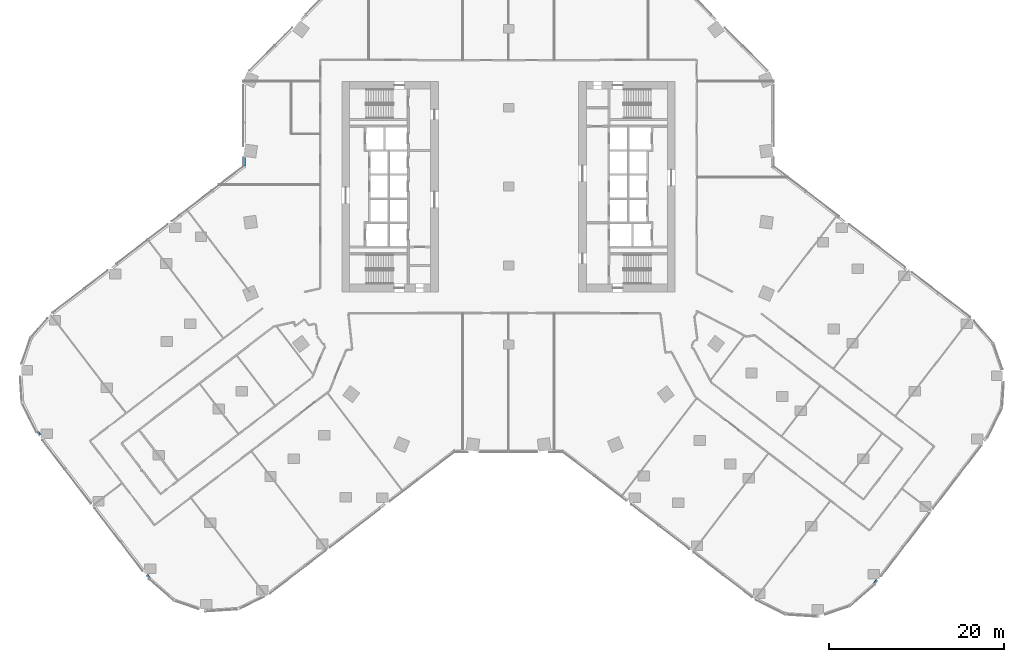
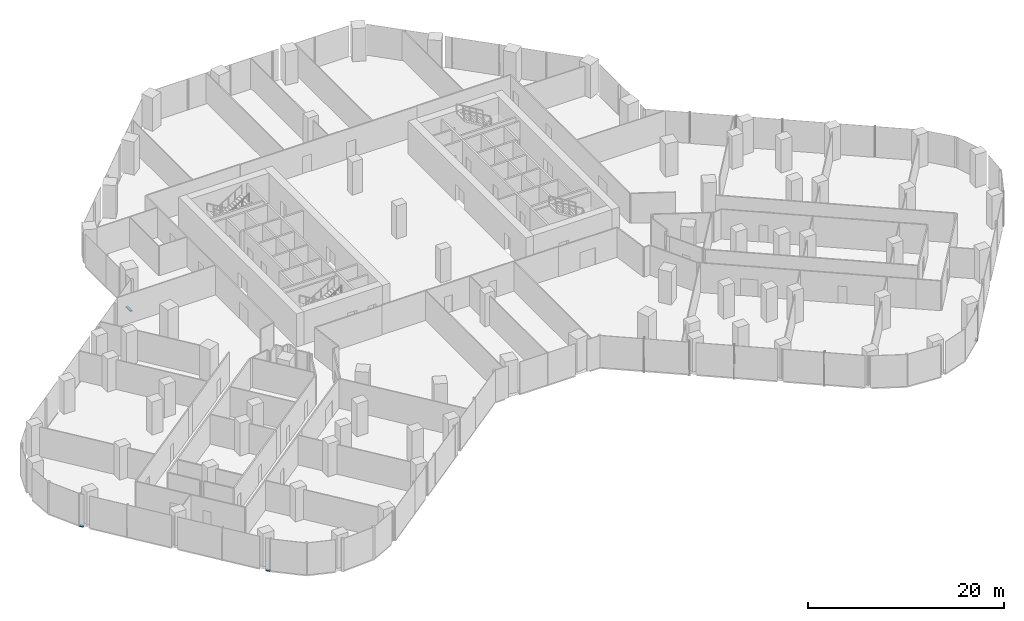
# One storey, part 12 of 29: 4 members, 3 elements without a shape of their own.
"""IFC4 building model written with IfcOpenShell, lengths in metres."""

from ifc_helpers import new_model, si_unit, direction, frame, origin, origin_2d, place, context, subcontext, project, spatial, rectangle, extrude, material, material_profile, profile_set, type_object, element, aggregate, save


model = new_model("IFC4")

# Units and contexts
model_context = context("Model", 3, precision=1e-05, world=origin(), true_north=direction((0.0, 1.0)))
body_context = subcontext(model_context, "Body", "Model", "MODEL_VIEW")
ifc_project = project(units=[si_unit("LENGTHUNIT", "METRE"), si_unit("AREAUNIT", "SQUARE_METRE"), si_unit("VOLUMEUNIT", "CUBIC_METRE"), si_unit("PLANEANGLEUNIT", "RADIAN"), si_unit("MASSUNIT", "GRAM", prefix="KILO")], contexts=[model_context])

# Site, building, storey
site_placement = place(None, origin())
site = spatial("IfcSite", under=ifc_project, at=site_placement, CompositionType="ELEMENT")
building_placement = place(site_placement, origin())
building = spatial("IfcBuilding", under=site, at=building_placement, Name="Orlundy Tower", CompositionType="ELEMENT")
storey_placement = place(building_placement, frame((0.0, 0.0, 25.10009765625)))
storey = spatial("IfcBuildingStorey", under=building, at=storey_placement, Name="L04", CompositionType="ELEMENT", Elevation=25.10009765625)

# Curtain wall, members
ifc_material_1 = material(Name="Aluminium bronze anodised", Category="aluminium")
curtain_wall_type = type_object("IfcCurtainWallType", Name="CW2 wall", PredefinedType="NOTDEFINED", material=ifc_material_1)
curtain_wall_1_placement = place(storey_placement, origin())
curtain_wall_1 = element("IfcCurtainWall", 1, at=curtain_wall_1_placement, inside=storey, type_object=curtain_wall_type, Name="CW2 run 07", PredefinedType="NOTDEFINED")
ifc_material_2 = material(Name="Aluminium bronze anodised", Category="aluminium")
ifc_material_profile = material_profile(ifc_material_2, rectangle(XDim=0.25, YDim=0.14990234375, at=origin_2d()), Name="CW2 transom 250x150")
ifc_profile_set = profile_set([ifc_material_profile], Name="Aluminium bronze anodised")
member_type = type_object("IfcMemberType", Name="CW2 transom 250x150", PredefinedType="USERDEFINED", material=ifc_profile_set)
member_1_placement = place(storey_placement, frame((-40.919921875, -44.617919921875, -0.34521484375), z_axis=(-0.608687084011, 0.79341038168, 0.0), x_axis=(-0.79341038168, -0.608687084011, 0.0)))
member_1 = element("IfcMember", 2, at=member_1_placement, type_object=member_type, Name="CW2 transom", ObjectType="TRANSOM", PredefinedType="USERDEFINED", context=body_context, shape_type="SweptSolid", body=[
    extrude(rectangle(XDim=0.25, YDim=0.14990234375, at=origin_2d()), origin(), (0.0, 0.0, 1.0), 0.461181640625),
])
member_2_placement = place(storey_placement, frame((-53.43310546875, -28.31005859375, -0.34521484375), z_axis=(-0.608810266529, 0.793315863556, 0.0), x_axis=(-0.793315863556, -0.608810266529, 0.0)))
member_2 = element("IfcMember", 3, at=member_2_placement, type_object=member_type, Name="CW2 transom", ObjectType="TRANSOM", PredefinedType="USERDEFINED", context=body_context, shape_type="SweptSolid", body=[
    extrude(rectangle(XDim=0.25, YDim=0.14990234375, at=origin_2d()), origin(), (0.0, 0.0, 1.0), 0.41943359375),
])
aggregate(curtain_wall_1, [member_1, member_2])

# Curtain wall, member
curtain_wall_2_placement = place(storey_placement, origin())
curtain_wall_2 = element("IfcCurtainWall", 4, at=curtain_wall_2_placement, inside=storey, type_object=curtain_wall_type, Name="CW2 run 013", PredefinedType="NOTDEFINED")
member_3_placement = place(storey_placement, frame((-30.125, 2.376708984375, -0.34521484375), z_axis=(0.0, 1.0, 0.0), x_axis=(-1.0, 0.0, 0.0)))
member_3 = element("IfcMember", 5, at=member_3_placement, type_object=member_type, Name="CW2 transom", ObjectType="TRANSOM", PredefinedType="USERDEFINED", context=body_context, shape_type="SweptSolid", body=[
    extrude(rectangle(XDim=0.25, YDim=0.14990234375, at=origin_2d()), origin(), (0.0, 0.0, 1.0), 0.92431640625),
])
aggregate(curtain_wall_2, [member_3])

curtain_wall_3_placement = place(storey_placement, origin())
curtain_wall_3 = element("IfcCurtainWall", 6, at=curtain_wall_3_placement, inside=storey, type_object=curtain_wall_type, Name="CW2 run 023", PredefinedType="NOTDEFINED")
member_4_placement = place(storey_placement, frame((41.99365234375, -44.860107421875, -0.34521484375), z_axis=(-0.608942775876, -0.79321415501, 0.0), x_axis=(0.79321415501, -0.608942775876, 0.0)))
member_4 = element("IfcMember", 7, at=member_4_placement, type_object=member_type, Name="CW2 transom", ObjectType="TRANSOM", PredefinedType="USERDEFINED", context=body_context, shape_type="SweptSolid", body=[
    extrude(rectangle(XDim=0.25, YDim=0.14990234375, at=origin_2d()), origin(), (0.0, 0.0, 1.0), 0.461181640625),
])
aggregate(curtain_wall_3, [member_4])

save(model, "model.ifc")
